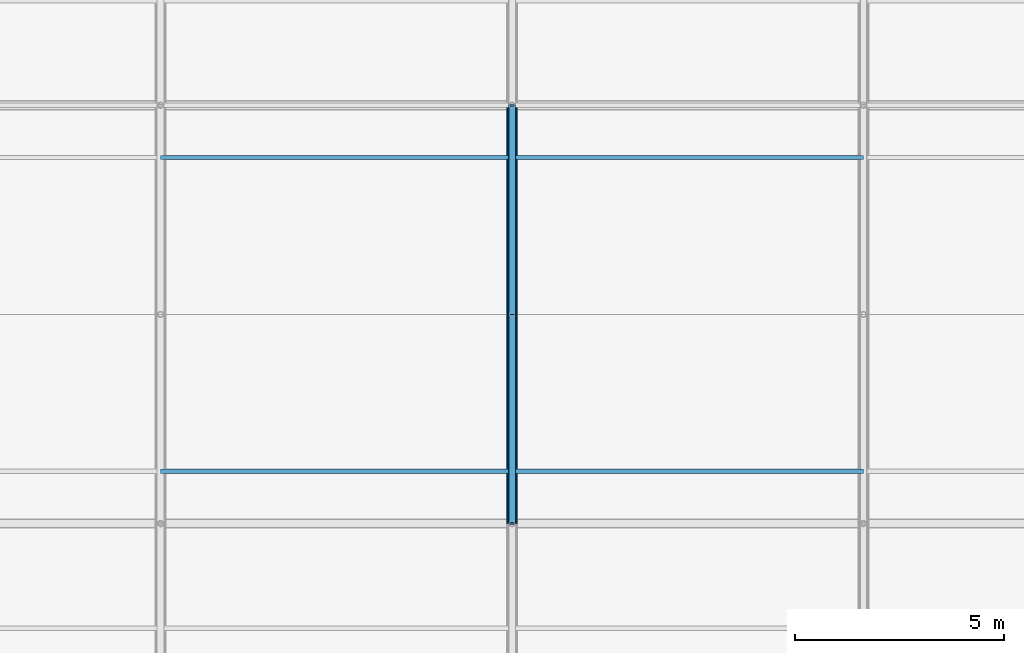
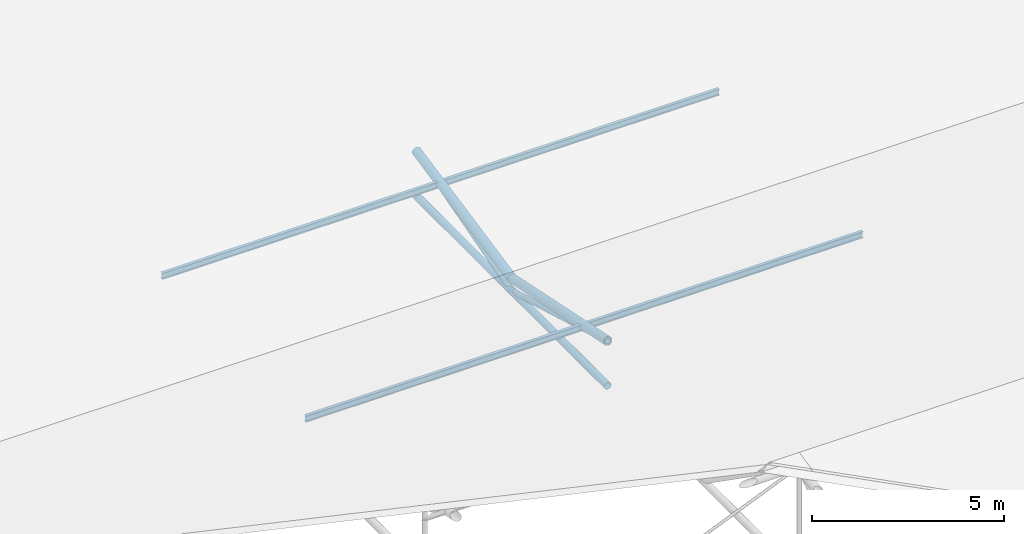
# One storey, part 53 of 194: 6 members, 4 beams.
"""IFC4 building model written with IfcOpenShell, lengths in metres."""

from ifc_helpers import new_model, si_unit, direction, frame, origin, origin_2d, place, context, subcontext, project, spatial, hollow_circle, i_section, extrude, material, material_profile, profile_set, type_object, element, save


model = new_model("IFC4")

# Units and contexts
model_context = context("Model", 3, precision=1e-05, world=origin(), true_north=direction((0.0, 1.0)))
body_context = subcontext(model_context, "Body", "Model", "MODEL_VIEW")
ifc_project = project(units=[si_unit("LENGTHUNIT", "METRE"), si_unit("AREAUNIT", "SQUARE_METRE"), si_unit("VOLUMEUNIT", "CUBIC_METRE"), si_unit("PLANEANGLEUNIT", "RADIAN"), si_unit("MASSUNIT", "GRAM", prefix="KILO")], contexts=[model_context])

# Site, building, storey
site_placement = place(None, origin())
site = spatial("IfcSite", under=ifc_project, at=site_placement, CompositionType="ELEMENT")
building_placement = place(site_placement, origin())
building = spatial("IfcBuilding", under=site, at=building_placement, Name="Kazenagashi Tramway Depot", CompositionType="ELEMENT")
storey_placement = place(building_placement, frame((0.0, 0.0, 23.7)))
storey = spatial("IfcBuildingStorey", under=building, at=storey_placement, Name="ROOF", CompositionType="ELEMENT", Elevation=23.7)

# Beams
ifc_material_1 = material(Name="Steel SN400B", Category="steel")
ifc_material_profile_1 = material_profile(ifc_material_1, i_section(OverallWidth=0.1, OverallDepth=0.2, WebThickness=0.0055, FlangeThickness=0.008, at=origin_2d()), Name="H-200x100x5.5x8")
ifc_profile_set_1 = profile_set([ifc_material_profile_1], Name="Steel SN400B")
beam_type = type_object("IfcBeamType", Name="PR-01", PredefinedType="USERDEFINED", material=ifc_profile_set_1)
for number, where, z_axis, x_axis, name in (
    (1, (112.0, 96.25, -12.955), (1.0, 0.0, 0.0), (0.0, 1.0, 0.0), "Beam PR-01 BM-2116"),
    (2, (120.4, 96.25, -12.955), (1.0, 0.0, 0.0), (0.0, 1.0, 0.0), "Beam PR-01 BM-2117"),
    (3, (112.0, 103.75, -12.955), (1.0, 0.0, 0.0), (0.0, 1.0, 0.0), "Beam PR-01 BM-2134"),
    (4, (120.4, 103.75, -12.955), (1.0, 0.0, 0.0), (0.0, 1.0, 0.0), "Beam PR-01 BM-2135"),
):
    element("IfcBeam", number, at=place(storey_placement, frame(where, z_axis=z_axis, x_axis=x_axis)), inside=storey, type_object=beam_type, Name=name, ObjectType="PURLIN", PredefinedType="USERDEFINED", context=body_context, shape_type="SweptSolid", body=[
        extrude(i_section(OverallWidth=0.1, OverallDepth=0.2, WebThickness=0.0055, FlangeThickness=0.008, at=origin_2d()), origin(), (0.0, 0.0, 1.0), 8.4),
    ])

# Members
ifc_material_2 = material(Name="Steel STK490", Category="steel")
ifc_material_profile_2 = material_profile(ifc_material_2, hollow_circle(Radius=0.1337, WallThickness=0.0093, at=origin_2d()), Name="CHS-267.4x9.3")
ifc_profile_set_2 = profile_set([ifc_material_profile_2], Name="Steel STK490")
member_type_1 = type_object("IfcMemberType", Name="TC-01", PredefinedType="CHORD", material=ifc_profile_set_2)
for number, where, z_axis, x_axis, name in (
    (5, (120.4, 95.0, -12.667), (0.0, 0.979317999984, -0.202327098797), (-1.0, 0.0, 0.0), "Tubular Space Frame TC-01 MEM-0565"),
    (6, (120.4, 100.0, -13.7), (0.0, 0.979317999984, 0.202327098797), (-1.0, 0.0, 0.0), "Tubular Space Frame TC-01 MEM-0581"),
):
    element("IfcMember", number, at=place(storey_placement, frame(where, z_axis=z_axis, x_axis=x_axis)), inside=storey, type_object=member_type_1, Name=name, PredefinedType="CHORD", context=body_context, shape_type="SweptSolid", body=[
        extrude(hollow_circle(Radius=0.1337, WallThickness=0.0093, at=origin_2d()), origin(), (0.0, 0.0, 1.0), 5.105594),
    ])
ifc_material_profile_3 = material_profile(ifc_material_2, hollow_circle(Radius=0.10815, WallThickness=0.0082, at=origin_2d()), Name="CHS-216.3x8.2")
ifc_profile_set_3 = profile_set([ifc_material_profile_3], Name="Steel STK490")
member_type_2 = type_object("IfcMemberType", Name="TC-02", PredefinedType="CHORD", material=ifc_profile_set_3)
for number, where, z_axis, x_axis, name in (
    (7, (120.4, 95.0, -14.1), (0.0, 1.0, 0.0), (-1.0, 0.0, 0.0), "Tubular Space Frame TC-02 MEM-0566"),
    (8, (120.4, 100.0, -14.1), (0.0, 1.0, 0.0), (-1.0, 0.0, 0.0), "Tubular Space Frame TC-02 MEM-0582"),
):
    element("IfcMember", number, at=place(storey_placement, frame(where, z_axis=z_axis, x_axis=x_axis)), inside=storey, type_object=member_type_2, Name=name, PredefinedType="CHORD", context=body_context, shape_type="SweptSolid", body=[
        extrude(hollow_circle(Radius=0.10815, WallThickness=0.0082, at=origin_2d()), origin(), (0.0, 0.0, 1.0), 5.0),
    ])
ifc_material_profile_4 = material_profile(ifc_material_2, hollow_circle(Radius=0.0826, WallThickness=0.0071, at=origin_2d()), Name="CHS-165.2x7.1")
ifc_profile_set_4 = profile_set([ifc_material_profile_4], Name="Steel STK490")
member_type_3 = type_object("IfcMemberType", Name="TS-01", PredefinedType="STRUT", material=ifc_profile_set_4)
for number, where, z_axis, x_axis, name in (
    (9, (120.4, 95.0, -12.667), (0.0, 0.961298717795, -0.27550821252), (-1.0, 0.0, 0.0), "Tubular Space Frame TS-01 MEM-0567"),
    (10, (120.4, 100.0, -14.1), (0.0, 0.961298717795, 0.27550821252), (-1.0, 0.0, 0.0), "Tubular Space Frame TS-01 MEM-0583"),
):
    element("IfcMember", number, at=place(storey_placement, frame(where, z_axis=z_axis, x_axis=x_axis)), inside=storey, type_object=member_type_3, Name=name, PredefinedType="STRUT", context=body_context, shape_type="SweptSolid", body=[
        extrude(hollow_circle(Radius=0.0826, WallThickness=0.0071, at=origin_2d()), origin(), (0.0, 0.0, 1.0), 5.201297),
    ])

save(model, "model.ifc")
